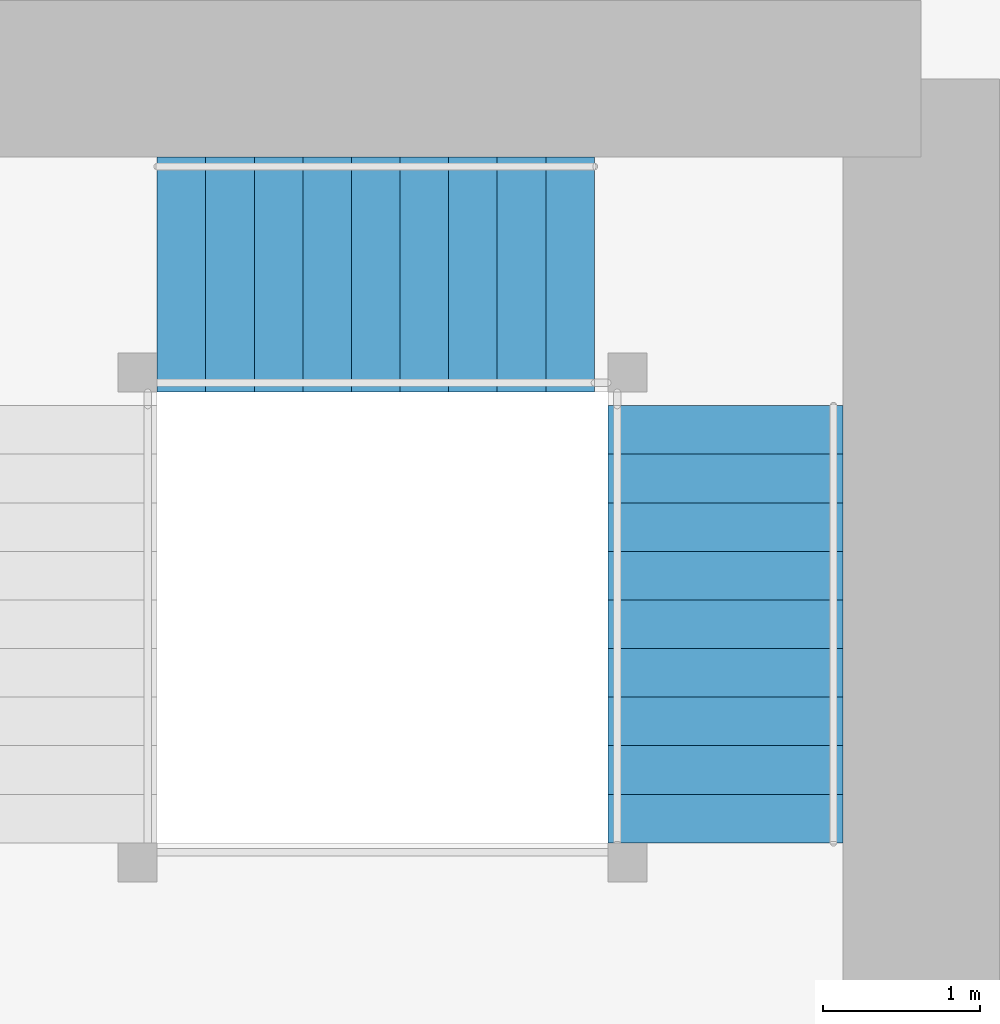
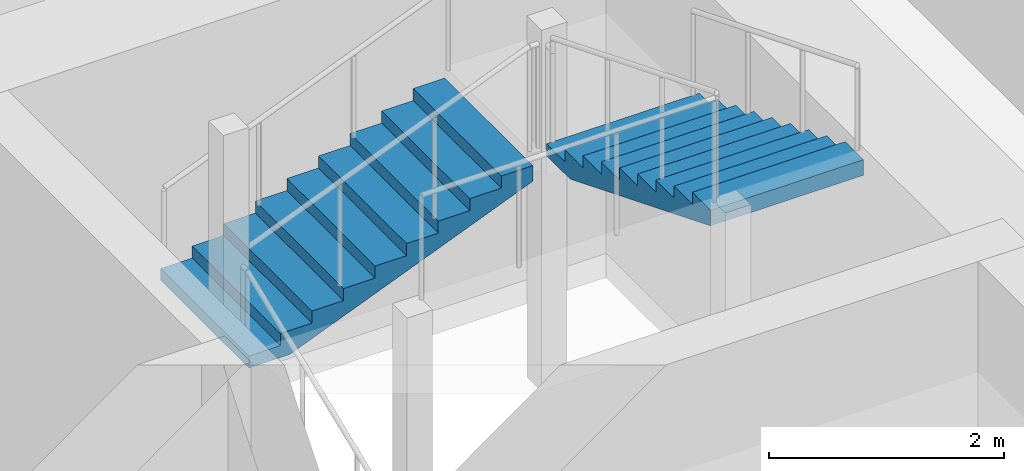
# One storey, part 26 of 33: 2 stair flights, 1 element without a shape of its own.
"""IFC4 building model written with IfcOpenShell, lengths in metres."""

from ifc_helpers import new_model, si_unit, direction, frame, origin, place, context, subcontext, project, spatial, polyline, outline, extrude, material, type_object, element, aggregate, save


model = new_model("IFC4")

# Units and contexts
model_context = context("Model", 3, precision=1e-05, world=origin(), true_north=direction((0.0, 1.0)))
body_context = subcontext(model_context, "Body", "Model", "MODEL_VIEW")
ifc_project = project(units=[si_unit("LENGTHUNIT", "METRE"), si_unit("AREAUNIT", "SQUARE_METRE"), si_unit("VOLUMEUNIT", "CUBIC_METRE"), si_unit("PLANEANGLEUNIT", "RADIAN"), si_unit("MASSUNIT", "GRAM", prefix="KILO")], contexts=[model_context])

# Site, building, storey
site_placement = place(None, origin())
site = spatial("IfcSite", under=ifc_project, at=site_placement, CompositionType="ELEMENT")
building_placement = place(site_placement, origin())
building = spatial("IfcBuilding", under=site, at=building_placement, Name="Rekha Terrace Tower", CompositionType="ELEMENT")
storey_placement = place(building_placement, frame((0.0, 0.0, 206.449951171875)))
storey = spatial("IfcBuildingStorey", under=building, at=storey_placement, Name="L52", CompositionType="ELEMENT", Elevation=206.449951171875)

# Stair, stair flights
ifc_material = material(Name="Concrete M40", Category="concrete")
stair_type = type_object("IfcStairType", Name="ST30 stair, 30 risers of 125, going 310, 1500 wide flights, 3 flights", PredefinedType="HALF_TURN_STAIR", material=ifc_material)
stair_placement = place(storey_placement, origin())
stair = element("IfcStair", 1, at=stair_placement, inside=storey, type_object=stair_type, Name="Stair ST2 L52 to L53", PredefinedType="HALF_TURN_STAIR")
stair_flight_type = type_object("IfcStairFlightType", Name="SF10 stair flight, 10 risers of 125, going 310, 1500 wide", PredefinedType="STRAIGHT", material=ifc_material)
stair_flight_1_placement = place(storey_placement, frame((45.52490234375, 44.949951171875, 1.25), z_axis=(0.0, 0.0, 1.0), x_axis=(1.0, 0.0, 0.0)))
stair_flight_1 = element("IfcStairFlight", 2, at=stair_flight_1_placement, type_object=stair_flight_type, Name="ST2 flight 2", NumberOfRisers=10, NumberOfTreads=9, PredefinedType="STRAIGHT", RiserHeight=0.125, TreadLength=0.31, context=body_context, shape_type="SweptSolid", body=[
    extrude(outline(polyline([(0.0, 0.0), (0.0, 0.125), (0.31005859375, 0.125), (0.31005859375, 0.25), (0.6201171875, 0.25), (0.6201171875, 0.375), (0.929931640625, 0.375), (0.929931640625, 0.5), (1.239990234375, 0.5), (1.239990234375, 0.625), (1.550048828125, 0.625), (1.550048828125, 0.75), (1.860107421875, 0.75), (1.860107421875, 0.875), (2.169921875, 0.875), (2.169921875, 1.0), (2.47998046875, 1.0), (2.47998046875, 1.125), (2.7900390625, 1.125), (2.7900390625, 1.25), (2.7900390625, 0.96337890625), (0.40087890625, 0.0), (0.0, 0.0)])), frame((0.0, 0.75, 0.0), z_axis=(0.0, -1.0, 0.0), x_axis=(1.0, 0.0, 0.0)), (0.0, 0.0, 1.0), 1.5),
])
stair_flight_2_placement = place(storey_placement, frame((49.14990234375, 44.114990234375, 2.5), z_axis=(0.0, 0.0, 1.0), x_axis=(0.0, -1.0, 0.0)))
stair_flight_2 = element("IfcStairFlight", 3, at=stair_flight_2_placement, type_object=stair_flight_type, Name="ST2 flight 3", NumberOfRisers=10, NumberOfTreads=9, PredefinedType="STRAIGHT", RiserHeight=0.125, TreadLength=0.31, context=body_context, shape_type="SweptSolid", body=[
    extrude(outline(polyline([(0.0, 0.0), (0.0, 0.125), (0.31005859375, 0.125), (0.31005859375, 0.25), (0.6201171875, 0.25), (0.6201171875, 0.375), (0.929931640625, 0.375), (0.929931640625, 0.5), (1.239990234375, 0.5), (1.239990234375, 0.625), (1.550048828125, 0.625), (1.550048828125, 0.75), (1.860107421875, 0.75), (1.860107421875, 0.875), (2.169921875, 0.875), (2.169921875, 1.0), (2.47998046875, 1.0), (2.47998046875, 1.125), (2.7900390625, 1.125), (2.7900390625, 1.25), (2.7900390625, 0.96337890625), (0.40087890625, 0.0), (0.0, 0.0)])), frame((0.0, 0.75, 0.0), z_axis=(0.0, -1.0, 0.0), x_axis=(1.0, 0.0, 0.0)), (0.0, 0.0, 1.0), 1.5),
])
aggregate(stair, [stair_flight_1, stair_flight_2])

save(model, "model.ifc")
